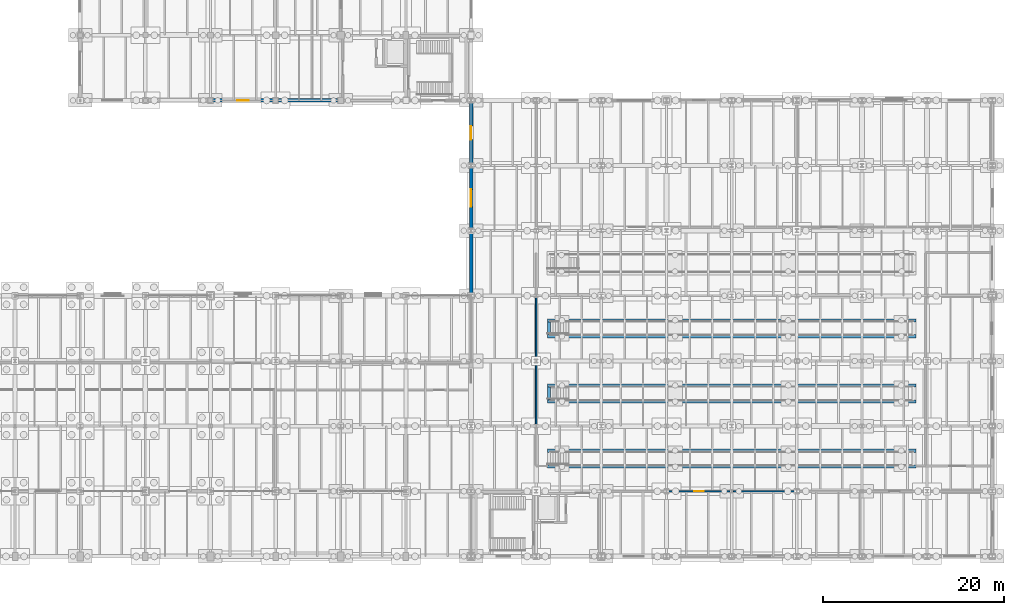
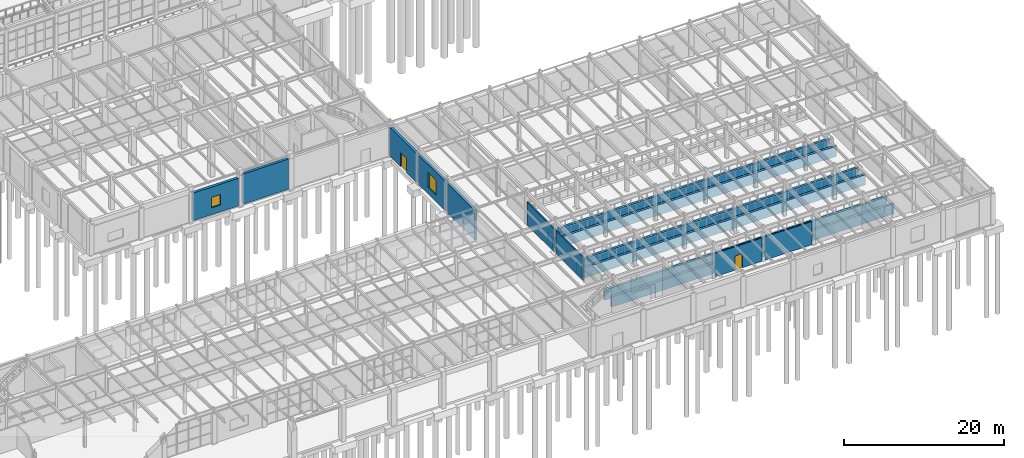
# One storey, part 271 of 293: 17 walls, 2 doors, 2 windows, 4 openings.
"""IFC4 building model written with IfcOpenShell, lengths in metres."""

import ifcopenshell
import ifcopenshell.guid

model = None  # the IFC model being written
_history = None  # IfcOwnerHistory: only IFC2X3 demands one
_inside = {}  # id of a spatial element -> (the spatial element, [elements in it])
_under = {}  # id of a project, library or spatial element -> (it, [spatial elements below it])
_declared = {}  # id of a project -> (the project, [libraries it declares])
_typed = {}  # id of a type object -> (the type object, [elements of that type])
_made_of = {}  # id of a material, layer set ... -> (it, [elements and type objects made of it])


def new_model(schema):
    """Start an empty IFC model of exactly this schema.

    Asked for "IFC4X3", IfcOpenShell would pick the latest addendum, in which some entities
    have other attributes; the version numbers below select the first issue.
    IFC2X3 requires an IfcOwnerHistory on every rooted entity: one is made here for all.
    """
    global model, _history
    if schema == "IFC4X3":
        model = ifcopenshell.file(schema_version=(4, 3, 0, 0))
    else:
        model = ifcopenshell.file(schema=schema)
    _inside.clear()
    _under.clear()
    _declared.clear()
    _typed.clear()
    _made_of.clear()
    _history = None
    if model.schema == "IFC2X3":
        org = make("IfcOrganization", Name="unknown")
        user = make(
            "IfcPersonAndOrganization",
            ThePerson=make("IfcPerson", FamilyName="unknown"),
            TheOrganization=org,
        )
        app = make(
            "IfcApplication",
            ApplicationDeveloper=org,
            Version="unknown",
            ApplicationFullName="unknown",
            ApplicationIdentifier="unknown",
        )
        _history = make(
            "IfcOwnerHistory",
            OwningUser=user,
            OwningApplication=app,
            ChangeAction="ADDED",
            CreationDate=0,
        )
    return model


def make(cls, **values):
    """One entity of the class cls with the attributes given. An attribute that is None is left unset."""
    return model.create_entity(
        cls, **{name: value for name, value in values.items() if value is not None}
    )


def rooted(cls, **values):
    """An entity with a GlobalId (a new one), such as an element, a storey or a relation."""
    return make(cls, GlobalId=ifcopenshell.guid.new(), OwnerHistory=_history, **values)


def si_unit(unit_type, name, prefix=None):
    """IfcSIUnit, for example si_unit("LENGTHUNIT", "METRE", prefix="MILLI")."""
    return make("IfcSIUnit", UnitType=unit_type, Prefix=prefix, Name=name)


def assignment(units):
    """IfcUnitAssignment: the units of a project."""
    return None if units is None else make("IfcUnitAssignment", Units=units)


def point(xyz):
    """IfcCartesianPoint."""
    return None if xyz is None else make("IfcCartesianPoint", Coordinates=xyz)


def direction(xyz):
    """IfcDirection."""
    return None if xyz is None else make("IfcDirection", DirectionRatios=xyz)


def frame(location, z_axis=None, x_axis=None):
    """IfcAxis2Placement3D, a coordinate frame: its origin and axes. An axis left out is left unset."""
    return make(
        "IfcAxis2Placement3D",
        Location=point(location),
        Axis=direction(z_axis),
        RefDirection=direction(x_axis),
    )


def frame_2d(location, x_axis=None):
    """IfcAxis2Placement2D, a coordinate frame in the plane: its origin and x axis."""
    return make(
        "IfcAxis2Placement2D", Location=point(location), RefDirection=direction(x_axis)
    )


def origin():
    """The frame at (0, 0, 0) with its axes left unset."""
    return frame((0.0, 0.0, 0.0))


def place(relative_to, where):
    """IfcLocalPlacement: puts the frame where relative to a parent placement (None: the world)."""
    return make(
        "IfcLocalPlacement", PlacementRelTo=relative_to, RelativePlacement=where
    )


def context(
    kind, dimensions, precision=None, world=None, true_north=None, identifier=None
):
    """IfcGeometricRepresentationContext, for example the 3D "Model" context."""
    return make(
        "IfcGeometricRepresentationContext",
        ContextIdentifier=identifier,
        ContextType=kind,
        CoordinateSpaceDimension=dimensions,
        Precision=precision,
        WorldCoordinateSystem=world,
        TrueNorth=true_north,
    )


def subcontext(parent, identifier, kind, view, scale=None):
    """IfcGeometricRepresentationSubContext, for example "Body" below "Model"."""
    return make(
        "IfcGeometricRepresentationSubContext",
        ContextIdentifier=identifier,
        ContextType=kind,
        ParentContext=parent,
        TargetScale=scale,
        TargetView=view,
    )


def project(units=None, contexts=None):
    """IfcProject with its units and contexts."""
    return rooted(
        "IfcProject",
        Name="project",
        RepresentationContexts=contexts,
        UnitsInContext=assignment(units),
    )


def spatial(cls, under=None, at=None, **own):
    """A site, building, storey or space (cls), placed at a placement, below another one or the project."""
    s = rooted(cls, ObjectPlacement=at, **own)
    if under is not None:
        _under.setdefault(under.id(), (under, []))[1].append(s)
    return s


def profile(cls, at=None, kind="AREA", **sizes):
    """A parametric profile (cls). Its sizes go by their IFC names, for example OverallWidth=200.0."""
    return make(cls, ProfileType=kind, Position=at, **sizes)


def rectangle(**sizes):
    """IfcRectangleProfileDef."""
    return profile("IfcRectangleProfileDef", **sizes)


def extrude(swept, where, along, depth):
    """IfcExtrudedAreaSolid: the profile swept, set in the frame where, extruded along a direction by depth."""
    return make(
        "IfcExtrudedAreaSolid",
        SweptArea=swept,
        Position=where,
        ExtrudedDirection=direction(along),
        Depth=depth,
    )


def shape(context_of_items, identifier, shape_type, items):
    """IfcShapeRepresentation: the items that make up one representation, for example the "Body"."""
    return make(
        "IfcShapeRepresentation",
        ContextOfItems=context_of_items,
        RepresentationIdentifier=identifier,
        RepresentationType=shape_type,
        Items=items,
    )


def material(Name=None, Category=None):
    """IfcMaterial."""
    return make("IfcMaterial", Name=Name, Category=Category)


def layer(
    of_material, thickness, ventilated=None, Name=None, Category=None, Priority=None
):
    """IfcMaterialLayer: one layer of a wall or slab, of a material (None: an air gap)."""
    return make(
        "IfcMaterialLayer",
        Material=of_material,
        LayerThickness=thickness,
        IsVentilated=ventilated,
        Name=Name,
        Category=Category,
        Priority=Priority,
    )


def layer_set(layers, Name=None):
    """IfcMaterialLayerSet."""
    return make("IfcMaterialLayerSet", MaterialLayers=layers, LayerSetName=Name)


def made_of(thing, what):
    """Note that an element or type object is made of a material, layer set ...; save() writes the relation."""
    if what is not None:
        _made_of.setdefault(what.id(), (what, []))[1].append(thing)
    return thing


def type_object(cls, material=None, **own):
    """A type object (cls), such as IfcWallType, which elements share."""
    return made_of(rooted(cls, **own), material)


def element(
    cls,
    number,
    at=None,
    inside=None,
    cuts=None,
    type_object=None,
    material=None,
    context=None,
    identifier="Body",
    shape_type=None,
    held_by="IfcProductDefinitionShape",
    body=None,
    shapes=None,
    **own,
):
    """One element of the class cls, such as IfcWall. Its Tag is "e" and its number.

    at: its placement. inside: the storey or other place that contains it. cuts: it is an
    opening in that element (IfcRelVoidsElement). A single representation is given by context,
    identifier, shape_type and body (its items); several are given by shapes. held_by: the class
    of the entity that holds the representations. save() writes the other relations.
    """
    e = rooted(cls, Tag="e%d" % number, ObjectPlacement=at, **own)
    if body is not None:
        shapes = [shape(context, identifier, shape_type, body)]
    if shapes is not None:
        e.Representation = make(held_by, Representations=shapes)
    if inside is not None:
        _inside.setdefault(inside.id(), (inside, []))[1].append(e)
    if cuts is not None:
        rooted(
            "IfcRelVoidsElement", RelatingBuildingElement=cuts, RelatedOpeningElement=e
        )
    if type_object is not None:
        _typed.setdefault(type_object.id(), (type_object, []))[1].append(e)
    return made_of(e, material)


def fill(opening, filler):
    """IfcRelFillsElement: the door or window that sits in an opening."""
    return rooted(
        "IfcRelFillsElement",
        RelatingOpeningElement=opening,
        RelatedBuildingElement=filler,
    )


def aggregate(whole, parts):
    """IfcRelAggregates: a whole, such as a stair, and the parts it consists of."""
    return rooted("IfcRelAggregates", RelatingObject=whole, RelatedObjects=parts)


def save(model, path):
    """Write the relations noted so far, then the file.

    IfcRelAggregates (storeys below a building ...), IfcRelContainedInSpatialStructure (elements
    in a storey), IfcRelDefinesByType, IfcRelAssociatesMaterial and IfcRelDeclares: one each for
    every whole, place, type object, material and project.
    """
    for whole, parts in _under.values():
        aggregate(whole, parts)
    for where, things in _inside.values():
        rooted(
            "IfcRelContainedInSpatialStructure",
            RelatedElements=things,
            RelatingStructure=where,
        )
    for kind, things in _typed.values():
        rooted("IfcRelDefinesByType", RelatedObjects=things, RelatingType=kind)
    for what, things in _made_of.values():
        rooted("IfcRelAssociatesMaterial", RelatedObjects=things, RelatingMaterial=what)
    for by, libraries in _declared.values():
        rooted("IfcRelDeclares", RelatingContext=by, RelatedDefinitions=libraries)
    model.write(path)


model = new_model("IFC4")

# Units and contexts
model_context = context("Model", 3, precision=1e-05, world=origin(), true_north=direction((0.0, 1.0)))
body_context = subcontext(model_context, "Body", "Model", "MODEL_VIEW")
ifc_project = project(units=[si_unit("LENGTHUNIT", "METRE"), si_unit("AREAUNIT", "SQUARE_METRE"), si_unit("VOLUMEUNIT", "CUBIC_METRE"), si_unit("PLANEANGLEUNIT", "RADIAN"), si_unit("MASSUNIT", "GRAM", prefix="KILO")], contexts=[model_context])

# Site, building, storey
site_placement = place(None, origin())
site = spatial("IfcSite", under=ifc_project, at=site_placement, CompositionType="ELEMENT")
building_placement = place(site_placement, origin())
building = spatial("IfcBuilding", under=site, at=building_placement, Name="Kemerveld Promenade Tramway Depot", CompositionType="ELEMENT")
storey_placement = place(building_placement, origin())
storey = spatial("IfcBuildingStorey", under=building, at=storey_placement, Name="L00", CompositionType="ELEMENT", Elevation=0.0)

# Wall
ifc_material_1 = material(Name="Harare granite ashlar and clay brick cavity masonry", Category="masonry")
ifc_layer_1 = layer(ifc_material_1, 0.3798828125)
ifc_layer_set_1 = layer_set([ifc_layer_1], Name="WL-EXT-380")
wall_type_1 = type_object("IfcWallType", Name="WL-EXT-380", PredefinedType="SOLIDWALL", material=ifc_layer_set_1)
wall_1_placement = place(storey_placement, frame((143.655029296875, 50.39990234375, 0.0), z_axis=(0.0, 0.0, 1.0), x_axis=(-1.0, 0.0, 0.0)))
element("IfcWall", 1, at=wall_1_placement, inside=storey, type_object=wall_type_1, Name="WL-L00-V3S-03", PredefinedType="SOLIDWALL", context=body_context, shape_type="SweptSolid", body=[
    extrude(rectangle(XDim=6.56005859375, YDim=0.3798828125, at=frame_2d((3.280029296875, 0.0))), origin(), (0.0, 0.0, 1.0), 4.60009765625),
])

# Wall, opening, window
wall_2_placement = place(storey_placement, frame((136.5048828125, 50.39990234375, 0.0), z_axis=(0.0, 0.0, 1.0), x_axis=(-1.0, 0.0, 0.0)))
wall_2 = element("IfcWall", 2, at=wall_2_placement, inside=storey, type_object=wall_type_1, Name="WL-L00-V3S-04", PredefinedType="SOLIDWALL", context=body_context, shape_type="SweptSolid", body=[
    extrude(rectangle(XDim=6.634765625, YDim=0.3798828125, at=frame_2d((3.3173828125, 0.0))), origin(), (0.0, 0.0, 1.0), 4.2099609375),
])
opening_1_placement = place(wall_2_placement, frame((2.6669921875, 0.0, 1.050048828125)))
opening_1 = element("IfcOpeningElement", 3, at=opening_1_placement, cuts=wall_2, Name="Opening W-126", PredefinedType="OPENING", context=body_context, shape_type="SweptSolid", body=[
    extrude(rectangle(XDim=1.300048828125, YDim=1.60009765625, at=frame_2d((0.64990234375, 0.800048828125))), frame((0.0, 0.199951171875, 0.0), z_axis=(0.0, -1.0, 0.0), x_axis=(1.0, 0.0, 0.0)), (0.0, 0.0, 1.0), 0.39990234375),
])
ifc_material_2 = material(Name="Bronze anodised aluminium and low-e glass", Category="aluminium")
window_type_1 = type_object("IfcWindowType", Name="WN-25", PartitioningType="SINGLE_PANEL", PredefinedType="WINDOW", material=ifc_material_2)
window_1_placement = place(opening_1_placement, origin())
window_1 = element("IfcWindow", 4, at=window_1_placement, inside=storey, type_object=window_type_1, Name="WN-L00-V3S-04", OverallHeight=1.60009765625, OverallWidth=1.300048828125, PartitioningType="SINGLE_PANEL", PredefinedType="WINDOW", context=body_context, shape_type="SweptSolid", body=[
    extrude(rectangle(XDim=1.300048828125, YDim=1.60009765625, at=frame_2d((0.64990234375, 0.800048828125))), frame((0.0, 0.030029296875, 0.0), z_axis=(0.0, -1.0, 0.0), x_axis=(1.0, 0.0, 0.0)), (0.0, 0.0, 1.0), 0.06005859375),
])
fill(opening_1, window_1)

# Wall
wall_3_placement = place(storey_placement, frame((158.39990234375, 29.017333984375, 0.0), z_axis=(0.0, 0.0, 1.0), x_axis=(0.0, 1.0, 0.0)))
element("IfcWall", 5, at=wall_3_placement, inside=storey, type_object=wall_type_1, Name="WL-L00-V2W-01", PredefinedType="SOLIDWALL", context=body_context, shape_type="SweptSolid", body=[
    extrude(rectangle(XDim=6.765380859375, YDim=0.3798828125, at=frame_2d((3.3828125, 0.0))), origin(), (0.0, 0.0, 1.0), 4.48779296875),
])

# Wall, opening, window
wall_4_placement = place(storey_placement, frame((158.39990234375, 36.21728515625, 0.0), z_axis=(0.0, 0.0, 1.0), x_axis=(0.0, 1.0, 0.0)))
wall_4 = element("IfcWall", 6, at=wall_4_placement, inside=storey, type_object=wall_type_1, Name="WL-L00-V2W-02", PredefinedType="SOLIDWALL", context=body_context, shape_type="SweptSolid", body=[
    extrude(rectangle(XDim=6.765380859375, YDim=0.3798828125, at=frame_2d((3.3828125, 0.0))), origin(), (0.0, 0.0, 1.0), 4.48779296875),
])
opening_2_placement = place(wall_4_placement, frame((2.407958984375, 0.0, 1.050048828125)))
opening_2 = element("IfcOpeningElement", 7, at=opening_2_placement, cuts=wall_4, Name="Opening W-140", PredefinedType="OPENING", context=body_context, shape_type="SweptSolid", body=[
    extrude(rectangle(XDim=1.949951171875, YDim=2.25, at=frame_2d((0.97509765625, 1.125))), frame((0.0, 0.199951171875, 0.0), z_axis=(0.0, -1.0, 0.0), x_axis=(1.0, 0.0, 0.0)), (0.0, 0.0, 1.0), 0.39990234375),
])
window_type_2 = type_object("IfcWindowType", Name="WN-15", PartitioningType="SINGLE_PANEL", PredefinedType="WINDOW", material=ifc_material_2)
window_2_placement = place(opening_2_placement, origin())
window_2 = element("IfcWindow", 8, at=window_2_placement, inside=storey, type_object=window_type_2, Name="WN-L00-V2W-02", OverallHeight=2.25, OverallWidth=1.949951171875, PartitioningType="SINGLE_PANEL", PredefinedType="WINDOW", context=body_context, shape_type="SweptSolid", body=[
    extrude(rectangle(XDim=1.949951171875, YDim=2.25, at=frame_2d((0.97509765625, 1.125))), frame((0.0, 0.030029296875, 0.0), z_axis=(0.0, -1.0, 0.0), x_axis=(1.0, 0.0, 0.0)), (0.0, 0.0, 1.0), 0.06005859375),
])
fill(opening_2, window_2)

# Wall, opening, door
wall_5_placement = place(storey_placement, frame((158.39990234375, 43.41748046875, 0.0), z_axis=(0.0, 0.0, 1.0), x_axis=(0.0, 1.0, 0.0)))
wall_5 = element("IfcWall", 9, at=wall_5_placement, inside=storey, type_object=wall_type_1, Name="WL-L00-V2W-03", PredefinedType="SOLIDWALL", context=body_context, shape_type="SweptSolid", body=[
    extrude(rectangle(XDim=6.76513671875, YDim=0.3798828125, at=frame_2d((3.382568359375, 0.0))), origin(), (0.0, 0.0, 1.0), 4.37255859375),
])
opening_3_placement = place(wall_5_placement, frame((2.633056640625, 0.0, 0.0)))
opening_3 = element("IfcOpeningElement", 10, at=opening_3_placement, cuts=wall_5, Name="Opening D-144", PredefinedType="OPENING", context=body_context, shape_type="SweptSolid", body=[
    extrude(rectangle(XDim=1.5, YDim=2.14990234375, at=frame_2d((0.75, 1.074951171875))), frame((0.0, 0.199951171875, 0.0), z_axis=(0.0, -1.0, 0.0), x_axis=(1.0, 0.0, 0.0)), (0.0, 0.0, 1.0), 0.39990234375),
])
ifc_material_3 = material(Name="Galvanised painted steel fire-exit door", Category="steel")
door_type_1 = type_object("IfcDoorType", Name="DR-EX04", OperationType="NOTDEFINED", PredefinedType="DOOR", material=ifc_material_3)
door_1_placement = place(opening_3_placement, origin())
door_1 = element("IfcDoor", 11, at=door_1_placement, inside=storey, type_object=door_type_1, Name="EX-14", OperationType="SINGLE_SWING_LEFT", OverallHeight=2.14990234375, OverallWidth=1.5, PredefinedType="DOOR", context=body_context, shape_type="SweptSolid", body=[
    extrude(rectangle(XDim=1.5, YDim=2.14990234375, at=frame_2d((0.75, 1.074951171875))), frame((0.0, 0.02490234375, 0.0), z_axis=(0.0, -1.0, 0.0), x_axis=(1.0, 0.0, 0.0)), (0.0, 0.0, 1.0), 0.050048828125),
])
fill(opening_3, door_1)

# Walls
ifc_material_4 = material(Name="Concrete C40/50", Category="concrete")
ifc_layer_2 = layer(ifc_material_4, 0.35009765625)
ifc_layer_set_2 = layer_set([ifc_layer_2], Name="WL-PIT350")
wall_type_2 = type_object("IfcWallType", Name="WL-PIT350", PredefinedType="USERDEFINED", material=ifc_layer_set_2)
for number, where, z_axis, x_axis, name in (
    (12, (166.85009765625, 11.675048828125, -1.550048828125), (0.0, 0.0, 1.0), (1.0, 0.0, 0.0), "WL-PIT-08-N"),
    (13, (166.85009765625, 9.925048828125, -1.550048828125), (0.0, 0.0, 1.0), (1.0, 0.0, 0.0), "WL-PIT-08-S"),
    (14, (166.85009765625, 18.875, -1.550048828125), (0.0, 0.0, 1.0), (1.0, 0.0, 0.0), "WL-PIT-09-N"),
    (15, (166.85009765625, 17.125, -1.550048828125), (0.0, 0.0, 1.0), (1.0, 0.0, 0.0), "WL-PIT-09-S"),
):
    element("IfcWall", number, at=place(storey_placement, frame(where, z_axis=z_axis, x_axis=x_axis)), inside=storey, type_object=wall_type_2, Name=name, ObjectType="RETAINING_WALL", PredefinedType="USERDEFINED", context=body_context, shape_type="SweptSolid", body=[
        extrude(rectangle(XDim=40.699951171875, YDim=0.35009765625, at=frame_2d((20.35009765625, 0.0))), origin(), (0.0, 0.0, 1.0), 1.550048828125),
    ])
wall_6_placement = place(storey_placement, frame((167.02490234375, 17.300048828125, -1.550048828125), z_axis=(0.0, 0.0, 1.0), x_axis=(0.0, 1.0, 0.0)))
element("IfcWall", 16, at=wall_6_placement, inside=storey, type_object=wall_type_2, Name="WL-PIT-09-W", ObjectType="RETAINING_WALL", PredefinedType="USERDEFINED", context=body_context, shape_type="SweptSolid", body=[
    extrude(rectangle(XDim=1.39990234375, YDim=0.35009765625, at=frame_2d((0.699951171875, 0.0))), origin(), (0.0, 0.0, 1.0), 1.550048828125),
])
for number, where, z_axis, x_axis, name in (
    (17, (166.85009765625, 26.074951171875, -1.550048828125), (0.0, 0.0, 1.0), (1.0, 0.0, 0.0), "WL-PIT-10-N"),
    (18, (166.85009765625, 24.324951171875, -1.550048828125), (0.0, 0.0, 1.0), (1.0, 0.0, 0.0), "WL-PIT-10-S"),
):
    element("IfcWall", number, at=place(storey_placement, frame(where, z_axis=z_axis, x_axis=x_axis)), inside=storey, type_object=wall_type_2, Name=name, ObjectType="RETAINING_WALL", PredefinedType="USERDEFINED", context=body_context, shape_type="SweptSolid", body=[
        extrude(rectangle(XDim=40.699951171875, YDim=0.35009765625, at=frame_2d((20.35009765625, 0.0))), origin(), (0.0, 0.0, 1.0), 1.550048828125),
    ])
wall_7_placement = place(storey_placement, frame((167.02490234375, 24.5, -1.550048828125), z_axis=(0.0, 0.0, 1.0), x_axis=(0.0, 1.0, 0.0)))
element("IfcWall", 19, at=wall_7_placement, inside=storey, type_object=wall_type_2, Name="WL-PIT-10-W", ObjectType="RETAINING_WALL", PredefinedType="USERDEFINED", context=body_context, shape_type="SweptSolid", body=[
    extrude(rectangle(XDim=1.39990234375, YDim=0.35009765625, at=frame_2d((0.699951171875, 0.0))), origin(), (0.0, 0.0, 1.0), 1.550048828125),
])

# Wall, opening, door
ifc_material_5 = material(Name="Acoustic twin-stud gypsum partition")
ifc_layer_3 = layer(ifc_material_5, 0.159912109375)
ifc_layer_set_3 = layer_set([ifc_layer_3], Name="WL-PRT-160")
wall_type_3 = type_object("IfcWallType", Name="WL-PRT-160", PredefinedType="PARTITIONING", material=ifc_layer_set_3)
wall_8_placement = place(storey_placement, frame((180.198974609375, 7.199951171875, 0.0), z_axis=(0.0, 0.0, 1.0), x_axis=(1.0, 0.0, 0.0)))
wall_8 = element("IfcWall", 20, at=wall_8_placement, inside=storey, type_object=wall_type_3, Name="WL-PRT-RM-L00-V2-STORE", PredefinedType="PARTITIONING", context=body_context, shape_type="SweptSolid", body=[
    extrude(rectangle(XDim=6.802001953125, YDim=0.159912109375, at=frame_2d((3.40087890625, 0.0))), origin(), (0.0, 0.0, 1.0), 3.550048828125),
])
opening_4_placement = place(wall_8_placement, frame((2.861083984375, 0.0, 0.0)))
opening_4 = element("IfcOpeningElement", 21, at=opening_4_placement, cuts=wall_8, Name="Opening D-595", PredefinedType="OPENING", context=body_context, shape_type="SweptSolid", body=[
    extrude(rectangle(XDim=1.080078125, YDim=2.14990234375, at=frame_2d((0.5400390625, 1.074951171875))), frame((0.0, 0.08984375, 0.0), z_axis=(0.0, -1.0, 0.0), x_axis=(1.0, 0.0, 0.0)), (0.0, 0.0, 1.0), 0.179931640625),
])
ifc_material_6 = material(Name="Glazed seminar door")
door_type_2 = type_object("IfcDoorType", Name="DR-INT11", OperationType="NOTDEFINED", PredefinedType="DOOR", material=ifc_material_6)
door_2_placement = place(opening_4_placement, origin())
door_2 = element("IfcDoor", 22, at=door_2_placement, inside=storey, type_object=door_type_2, Name="DR-RM-RM-L00-V2-STORE", OperationType="SINGLE_SWING_LEFT", OverallHeight=2.14990234375, OverallWidth=1.080078125, PredefinedType="DOOR", context=body_context, shape_type="SweptSolid", body=[
    extrude(rectangle(XDim=1.080078125, YDim=2.14990234375, at=frame_2d((0.5400390625, 1.074951171875))), frame((0.0, 0.02490234375, 0.0), z_axis=(0.0, -1.0, 0.0), x_axis=(1.0, 0.0, 0.0)), (0.0, 0.0, 1.0), 0.050048828125),
])
fill(opening_4, door_2)

# Walls
wall_9_placement = place(storey_placement, frame((187.39892578125, 7.199951171875, 0.0), z_axis=(0.0, 0.0, 1.0), x_axis=(1.0, 0.0, 0.0)))
element("IfcWall", 23, at=wall_9_placement, inside=storey, type_object=wall_type_3, Name="WL-PRT-RM-L00-V2-STORE-S3", PredefinedType="PARTITIONING", context=body_context, shape_type="SweptSolid", body=[
    extrude(rectangle(XDim=6.802001953125, YDim=0.159912109375, at=frame_2d((3.40087890625, 0.0))), origin(), (0.0, 0.0, 1.0), 3.550048828125),
])
for number, where, z_axis, x_axis, name in (
    (24, (165.60009765625, 14.593017578125, 0.0), (0.0, 0.0, 1.0), (0.0, 1.0, 0.0), "WL-DIV-L00-003"),
    (25, (165.60009765625, 21.79296875, 0.0), (0.0, 0.0, 1.0), (0.0, 1.0, 0.0), "WL-DIV-L00-004"),
):
    element("IfcWall", number, at=place(storey_placement, frame(where, z_axis=z_axis, x_axis=x_axis)), inside=storey, type_object=wall_type_3, Name=name, PredefinedType="PARTITIONING", context=body_context, shape_type="SweptSolid", body=[
        extrude(rectangle(XDim=6.81494140625, YDim=0.159912109375, at=frame_2d((3.407470703125, 0.0))), origin(), (0.0, 0.0, 1.0), 3.550048828125),
    ])

save(model, "model.ifc")
